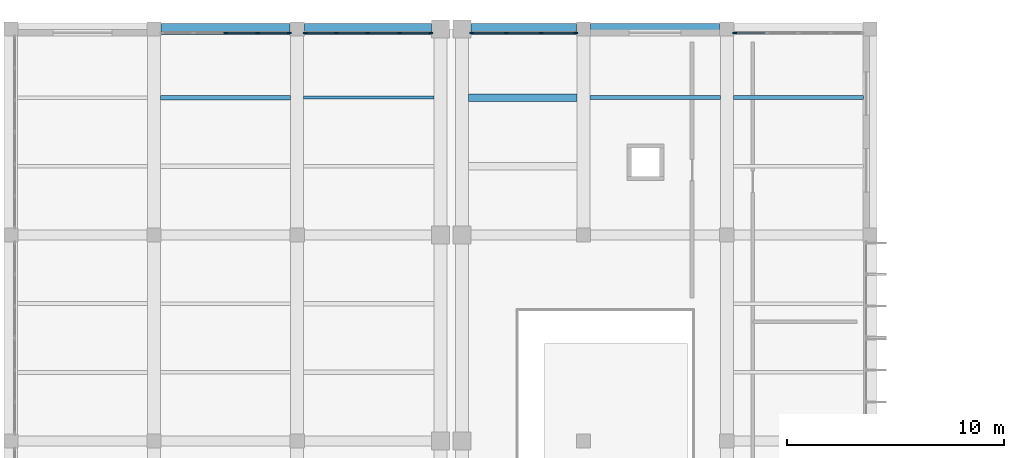
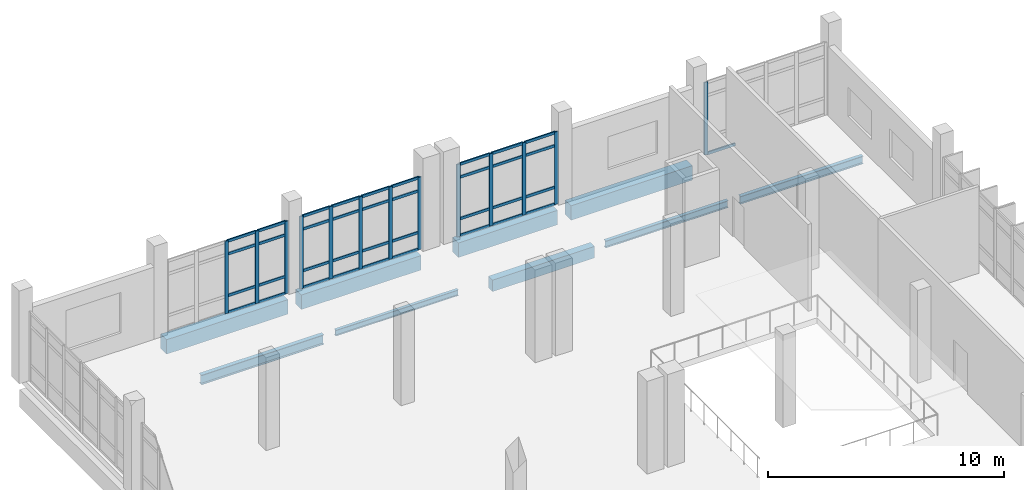
# One storey, part 41 of 90: 50 members, 9 beams, 4 elements without a shape of their own.
"""IFC4 building model written with IfcOpenShell, lengths in metres."""

from ifc_helpers import new_model, si_unit, direction, frame, origin, origin_2d, place, context, subcontext, project, spatial, rectangle, i_section, extrude, material, layer, layer_set, material_profile, profile_set, type_object, element, aggregate, save


model = new_model("IFC4")

# Units and contexts
model_context = context("Model", 3, precision=1e-05, world=origin(), true_north=direction((0.0, 1.0)))
body_context = subcontext(model_context, "Body", "Model", "MODEL_VIEW")
ifc_project = project(units=[si_unit("LENGTHUNIT", "METRE"), si_unit("AREAUNIT", "SQUARE_METRE"), si_unit("VOLUMEUNIT", "CUBIC_METRE"), si_unit("PLANEANGLEUNIT", "RADIAN"), si_unit("MASSUNIT", "GRAM", prefix="KILO")], contexts=[model_context])

# Site, building, storey
site_placement = place(None, origin())
site = spatial("IfcSite", under=ifc_project, at=site_placement, CompositionType="ELEMENT")
building_placement = place(site_placement, origin())
building = spatial("IfcBuilding", under=site, at=building_placement, Name="Kelarvand Opera House", CompositionType="ELEMENT")
storey_placement = place(building_placement, frame((0.0, 0.0, 5.39990234375)))
storey = spatial("IfcBuildingStorey", under=building, at=storey_placement, Name="L01", CompositionType="ELEMENT", Elevation=5.39990234375)

# Curtain wall, members
ifc_material_1 = material(Name="Thermally broken aluminium and low-E glazing", Category="aluminium")
ifc_layer_1 = layer(ifc_material_1, 0.179931640625, Name="Thermally broken aluminium and low-E glazing", Category="aluminium")
ifc_layer_set_1 = layer_set([ifc_layer_1], Name="Thermally broken aluminium and low-E glazing")
curtain_wall_type_1 = type_object("IfcCurtainWallType", Name="Unitised Low-E Curtain Wall 5930x3750 Mod 1450 CWF-44", PredefinedType="USERDEFINED", material=ifc_layer_set_1)
curtain_wall_1_placement = place(storey_placement, origin())
curtain_wall_1 = element("IfcCurtainWall", 1, at=curtain_wall_1_placement, inside=storey, type_object=curtain_wall_type_1, Name="V5 L01 Curtain Wall CWF-44 (180)", ObjectType="UNITISED CURTAIN WALL", PredefinedType="USERDEFINED")
ifc_material_2 = material(Name="Thermally broken anodised aluminium", Category="aluminium")
ifc_material_profile_1 = material_profile(ifc_material_2, rectangle(XDim=0.06494140625, YDim=0.179931640625, at=origin_2d()), Name="ALU MULLION 65x180", Category="aluminium")
ifc_profile_set_1 = profile_set([ifc_material_profile_1], Name="Thermally broken anodised aluminium")
member_type_1 = type_object("IfcMemberType", Name="Curtain Wall Mullion 65x180 Aluminium", PredefinedType="MULLION", material=ifc_profile_set_1)
member_1_placement = place(storey_placement, frame((105.5, 124.820068359375, 0.0), z_axis=(0.0, 0.0, 1.0), x_axis=(0.0, 1.0, 0.0)))
member_1 = element("IfcMember", 2, at=member_1_placement, type_object=member_type_1, Name="CWF-44 mullion 3", PredefinedType="MULLION", context=body_context, shape_type="SweptSolid", body=[
    extrude(rectangle(XDim=0.06494140625, YDim=0.179931640625, at=origin_2d()), origin(), (0.0, 0.0, 1.0), 3.75),
])
member_2_placement = place(storey_placement, frame((106.982421875, 124.820068359375, 0.0), z_axis=(0.0, 0.0, 1.0), x_axis=(0.0, 1.0, 0.0)))
member_2 = element("IfcMember", 3, at=member_2_placement, type_object=member_type_1, Name="CWF-44 mullion 4", PredefinedType="MULLION", context=body_context, shape_type="SweptSolid", body=[
    extrude(rectangle(XDim=0.06494140625, YDim=0.179931640625, at=origin_2d()), origin(), (0.0, 0.0, 1.0), 3.75),
])
member_3_placement = place(storey_placement, frame((108.4326171875, 124.820068359375, 0.0), z_axis=(0.0, 0.0, 1.0), x_axis=(0.0, 1.0, 0.0)))
member_3 = element("IfcMember", 4, at=member_3_placement, type_object=member_type_1, Name="CWF-44 mullion 5", PredefinedType="MULLION", context=body_context, shape_type="SweptSolid", body=[
    extrude(rectangle(XDim=0.06494140625, YDim=0.179931640625, at=origin_2d()), origin(), (0.0, 0.0, 1.0), 3.75),
])

ifc_layer_2 = layer(ifc_material_1, 0.179931640625, Name="Thermally broken aluminium and low-E glazing", Category="aluminium")
ifc_layer_set_2 = layer_set([ifc_layer_2], Name="Thermally broken aluminium and low-E glazing")
curtain_wall_type_2 = type_object("IfcCurtainWallType", Name="Unitised Low-E Curtain Wall 5845x3750 Mod 1450 CWF-45", PredefinedType="USERDEFINED", material=ifc_layer_set_2)
curtain_wall_2_placement = place(storey_placement, origin())
curtain_wall_2 = element("IfcCurtainWall", 5, at=curtain_wall_2_placement, inside=storey, type_object=curtain_wall_type_2, Name="V5 L01 Curtain Wall CWF-45 (181)", ObjectType="UNITISED CURTAIN WALL", PredefinedType="USERDEFINED")
member_4_placement = place(storey_placement, frame((109.16748046875, 124.820068359375, 0.0), z_axis=(0.0, 0.0, 1.0), x_axis=(0.0, 1.0, 0.0)))
member_4 = element("IfcMember", 6, at=member_4_placement, type_object=member_type_1, Name="CWF-45 mullion 1", PredefinedType="MULLION", context=body_context, shape_type="SweptSolid", body=[
    extrude(rectangle(XDim=0.06494140625, YDim=0.179931640625, at=origin_2d()), origin(), (0.0, 0.0, 1.0), 3.75),
])
member_5_placement = place(storey_placement, frame((110.59619140625, 124.820068359375, 0.0), z_axis=(0.0, 0.0, 1.0), x_axis=(0.0, 1.0, 0.0)))
member_5 = element("IfcMember", 7, at=member_5_placement, type_object=member_type_1, Name="CWF-45 mullion 2", PredefinedType="MULLION", context=body_context, shape_type="SweptSolid", body=[
    extrude(rectangle(XDim=0.06494140625, YDim=0.179931640625, at=origin_2d()), origin(), (0.0, 0.0, 1.0), 3.75),
])
member_6_placement = place(storey_placement, frame((112.0576171875, 124.820068359375, 0.0), z_axis=(0.0, 0.0, 1.0), x_axis=(0.0, 1.0, 0.0)))
member_6 = element("IfcMember", 8, at=member_6_placement, type_object=member_type_1, Name="CWF-45 mullion 3", PredefinedType="MULLION", context=body_context, shape_type="SweptSolid", body=[
    extrude(rectangle(XDim=0.06494140625, YDim=0.179931640625, at=origin_2d()), origin(), (0.0, 0.0, 1.0), 3.75),
])
member_7_placement = place(storey_placement, frame((113.518798828125, 124.820068359375, 0.0), z_axis=(0.0, 0.0, 1.0), x_axis=(0.0, 1.0, 0.0)))
member_7 = element("IfcMember", 9, at=member_7_placement, type_object=member_type_1, Name="CWF-45 mullion 4", PredefinedType="MULLION", context=body_context, shape_type="SweptSolid", body=[
    extrude(rectangle(XDim=0.06494140625, YDim=0.179931640625, at=origin_2d()), origin(), (0.0, 0.0, 1.0), 3.75),
])
member_8_placement = place(storey_placement, frame((114.947509765625, 124.820068359375, 0.0), z_axis=(0.0, 0.0, 1.0), x_axis=(0.0, 1.0, 0.0)))
member_8 = element("IfcMember", 10, at=member_8_placement, type_object=member_type_1, Name="CWF-45 mullion 5", PredefinedType="MULLION", context=body_context, shape_type="SweptSolid", body=[
    extrude(rectangle(XDim=0.06494140625, YDim=0.179931640625, at=origin_2d()), origin(), (0.0, 0.0, 1.0), 3.75),
])

ifc_layer_3 = layer(ifc_material_1, 0.179931640625, Name="Thermally broken aluminium and low-E glazing", Category="aluminium")
ifc_layer_set_3 = layer_set([ifc_layer_3], Name="Thermally broken aluminium and low-E glazing")
curtain_wall_type_3 = type_object("IfcCurtainWallType", Name="Unitised Low-E Curtain Wall 4845x3750 Mod 1450 CWF-46", PredefinedType="USERDEFINED", material=ifc_layer_set_3)
curtain_wall_3_placement = place(storey_placement, origin())
curtain_wall_3 = element("IfcCurtainWall", 11, at=curtain_wall_3_placement, inside=storey, type_object=curtain_wall_type_3, Name="V5 L01 Curtain Wall CWF-46 (182)", ObjectType="UNITISED CURTAIN WALL", PredefinedType="USERDEFINED")
member_9_placement = place(storey_placement, frame((116.8525390625, 124.820068359375, 0.0), z_axis=(0.0, 0.0, 1.0), x_axis=(0.0, 1.0, 0.0)))
member_9 = element("IfcMember", 12, at=member_9_placement, type_object=member_type_1, Name="CWF-46 mullion 1", PredefinedType="MULLION", context=body_context, shape_type="SweptSolid", body=[
    extrude(rectangle(XDim=0.06494140625, YDim=0.179931640625, at=origin_2d()), origin(), (0.0, 0.0, 1.0), 3.75),
])
member_10_placement = place(storey_placement, frame((118.43505859375, 124.820068359375, 0.0), z_axis=(0.0, 0.0, 1.0), x_axis=(0.0, 1.0, 0.0)))
member_10 = element("IfcMember", 13, at=member_10_placement, type_object=member_type_1, Name="CWF-46 mullion 2", PredefinedType="MULLION", context=body_context, shape_type="SweptSolid", body=[
    extrude(rectangle(XDim=0.06494140625, YDim=0.179931640625, at=origin_2d()), origin(), (0.0, 0.0, 1.0), 3.75),
])
member_11_placement = place(storey_placement, frame((120.050048828125, 124.820068359375, 0.0), z_axis=(0.0, 0.0, 1.0), x_axis=(0.0, 1.0, 0.0)))
member_11 = element("IfcMember", 14, at=member_11_placement, type_object=member_type_1, Name="CWF-46 mullion 3", PredefinedType="MULLION", context=body_context, shape_type="SweptSolid", body=[
    extrude(rectangle(XDim=0.06494140625, YDim=0.179931640625, at=origin_2d()), origin(), (0.0, 0.0, 1.0), 3.75),
])
member_12_placement = place(storey_placement, frame((121.632568359375, 124.820068359375, 0.0), z_axis=(0.0, 0.0, 1.0), x_axis=(0.0, 1.0, 0.0)))
member_12 = element("IfcMember", 15, at=member_12_placement, type_object=member_type_1, Name="CWF-46 mullion 4", PredefinedType="MULLION", context=body_context, shape_type="SweptSolid", body=[
    extrude(rectangle(XDim=0.06494140625, YDim=0.179931640625, at=origin_2d()), origin(), (0.0, 0.0, 1.0), 3.75),
])

# Curtain wall, member
curtain_wall_4_placement = place(storey_placement, origin())
curtain_wall_4 = element("IfcCurtainWall", 16, at=curtain_wall_4_placement, inside=storey, type_object=curtain_wall_type_1, Name="V5 L01 Curtain Wall CWF-44 (183)", ObjectType="UNITISED CURTAIN WALL", PredefinedType="USERDEFINED")
member_13_placement = place(storey_placement, frame((128.967529296875, 124.820068359375, 0.0), z_axis=(0.0, 0.0, 1.0), x_axis=(0.0, 1.0, 0.0)))
member_13 = element("IfcMember", 17, at=member_13_placement, type_object=member_type_1, Name="CWF-44 mullion 1", PredefinedType="MULLION", context=body_context, shape_type="SweptSolid", body=[
    extrude(rectangle(XDim=0.06494140625, YDim=0.179931640625, at=origin_2d()), origin(), (0.0, 0.0, 1.0), 3.75),
])

# Member
ifc_material_profile_2 = material_profile(ifc_material_2, rectangle(XDim=0.06494140625, YDim=0.139892578125, at=origin_2d()), Name="ALU TRANSOM 65x140", Category="aluminium")
ifc_profile_set_2 = profile_set([ifc_material_profile_2], Name="Thermally broken anodised aluminium")
member_type_2 = type_object("IfcMemberType", Name="Curtain Wall Transom 65x140 Aluminium", PredefinedType="USERDEFINED", material=ifc_profile_set_2)
member_14_placement = place(storey_placement, frame((105.532470703125, 124.820068359375, 0.03271484375), z_axis=(1.0, 0.0, 0.0), x_axis=(0.0, 1.0, 0.0)))
member_14 = element("IfcMember", 18, at=member_14_placement, type_object=member_type_2, Name="CWF-44 transom 3.1", ObjectType="TRANSOM", PredefinedType="USERDEFINED", context=body_context, shape_type="SweptSolid", body=[
    extrude(rectangle(XDim=0.06494140625, YDim=0.139892578125, at=origin_2d()), origin(), (0.0, 0.0, 1.0), 1.41748046875),
])

member_15_placement = place(storey_placement, frame((105.532470703125, 124.820068359375, 0.900146484375), z_axis=(1.0, 0.0, 0.0), x_axis=(0.0, 1.0, 0.0)))
member_15 = element("IfcMember", 19, at=member_15_placement, type_object=member_type_2, Name="CWF-44 transom 3.2", ObjectType="TRANSOM", PredefinedType="USERDEFINED", context=body_context, shape_type="SweptSolid", body=[
    extrude(rectangle(XDim=0.06494140625, YDim=0.139892578125, at=origin_2d()), origin(), (0.0, 0.0, 1.0), 1.41748046875),
])

member_16_placement = place(storey_placement, frame((105.532470703125, 124.820068359375, 3.050048828125), z_axis=(1.0, 0.0, 0.0), x_axis=(0.0, 1.0, 0.0)))
member_16 = element("IfcMember", 20, at=member_16_placement, type_object=member_type_2, Name="CWF-44 transom 3.3", ObjectType="TRANSOM", PredefinedType="USERDEFINED", context=body_context, shape_type="SweptSolid", body=[
    extrude(rectangle(XDim=0.06494140625, YDim=0.139892578125, at=origin_2d()), origin(), (0.0, 0.0, 1.0), 1.41748046875),
])

member_17_placement = place(storey_placement, frame((105.532470703125, 124.820068359375, 3.717529296875), z_axis=(1.0, 0.0, 0.0), x_axis=(0.0, 1.0, 0.0)))
member_17 = element("IfcMember", 21, at=member_17_placement, type_object=member_type_2, Name="CWF-44 transom 3.4", ObjectType="TRANSOM", PredefinedType="USERDEFINED", context=body_context, shape_type="SweptSolid", body=[
    extrude(rectangle(XDim=0.06494140625, YDim=0.139892578125, at=origin_2d()), origin(), (0.0, 0.0, 1.0), 1.41748046875),
])

member_18_placement = place(storey_placement, frame((107.014892578125, 124.820068359375, 0.03271484375), z_axis=(1.0, 0.0, 0.0), x_axis=(0.0, 1.0, 0.0)))
member_18 = element("IfcMember", 22, at=member_18_placement, type_object=member_type_2, Name="CWF-44 transom 4.1", ObjectType="TRANSOM", PredefinedType="USERDEFINED", context=body_context, shape_type="SweptSolid", body=[
    extrude(rectangle(XDim=0.06494140625, YDim=0.139892578125, at=origin_2d()), origin(), (0.0, 0.0, 1.0), 1.385009765625),
])

member_19_placement = place(storey_placement, frame((107.014892578125, 124.820068359375, 0.900146484375), z_axis=(1.0, 0.0, 0.0), x_axis=(0.0, 1.0, 0.0)))
member_19 = element("IfcMember", 23, at=member_19_placement, type_object=member_type_2, Name="CWF-44 transom 4.2", ObjectType="TRANSOM", PredefinedType="USERDEFINED", context=body_context, shape_type="SweptSolid", body=[
    extrude(rectangle(XDim=0.06494140625, YDim=0.139892578125, at=origin_2d()), origin(), (0.0, 0.0, 1.0), 1.385009765625),
])

member_20_placement = place(storey_placement, frame((107.014892578125, 124.820068359375, 3.050048828125), z_axis=(1.0, 0.0, 0.0), x_axis=(0.0, 1.0, 0.0)))
member_20 = element("IfcMember", 24, at=member_20_placement, type_object=member_type_2, Name="CWF-44 transom 4.3", ObjectType="TRANSOM", PredefinedType="USERDEFINED", context=body_context, shape_type="SweptSolid", body=[
    extrude(rectangle(XDim=0.06494140625, YDim=0.139892578125, at=origin_2d()), origin(), (0.0, 0.0, 1.0), 1.385009765625),
])

member_21_placement = place(storey_placement, frame((107.014892578125, 124.820068359375, 3.717529296875), z_axis=(1.0, 0.0, 0.0), x_axis=(0.0, 1.0, 0.0)))
member_21 = element("IfcMember", 25, at=member_21_placement, type_object=member_type_2, Name="CWF-44 transom 4.4", ObjectType="TRANSOM", PredefinedType="USERDEFINED", context=body_context, shape_type="SweptSolid", body=[
    extrude(rectangle(XDim=0.06494140625, YDim=0.139892578125, at=origin_2d()), origin(), (0.0, 0.0, 1.0), 1.385009765625),
])

aggregate(curtain_wall_1, [member_1, member_2, member_3, member_14, member_15, member_16, member_17, member_18, member_19, member_20, member_21])

member_22_placement = place(storey_placement, frame((109.199951171875, 124.820068359375, 0.03271484375), z_axis=(1.0, 0.0, 0.0), x_axis=(0.0, 1.0, 0.0)))
member_22 = element("IfcMember", 26, at=member_22_placement, type_object=member_type_2, Name="CWF-45 transom 1.1", ObjectType="TRANSOM", PredefinedType="USERDEFINED", context=body_context, shape_type="SweptSolid", body=[
    extrude(rectangle(XDim=0.06494140625, YDim=0.139892578125, at=origin_2d()), origin(), (0.0, 0.0, 1.0), 1.36376953125),
])

member_23_placement = place(storey_placement, frame((109.199951171875, 124.820068359375, 0.900146484375), z_axis=(1.0, 0.0, 0.0), x_axis=(0.0, 1.0, 0.0)))
member_23 = element("IfcMember", 27, at=member_23_placement, type_object=member_type_2, Name="CWF-45 transom 1.2", ObjectType="TRANSOM", PredefinedType="USERDEFINED", context=body_context, shape_type="SweptSolid", body=[
    extrude(rectangle(XDim=0.06494140625, YDim=0.139892578125, at=origin_2d()), origin(), (0.0, 0.0, 1.0), 1.36376953125),
])

member_24_placement = place(storey_placement, frame((109.199951171875, 124.820068359375, 3.050048828125), z_axis=(1.0, 0.0, 0.0), x_axis=(0.0, 1.0, 0.0)))
member_24 = element("IfcMember", 28, at=member_24_placement, type_object=member_type_2, Name="CWF-45 transom 1.3", ObjectType="TRANSOM", PredefinedType="USERDEFINED", context=body_context, shape_type="SweptSolid", body=[
    extrude(rectangle(XDim=0.06494140625, YDim=0.139892578125, at=origin_2d()), origin(), (0.0, 0.0, 1.0), 1.36376953125),
])

member_25_placement = place(storey_placement, frame((109.199951171875, 124.820068359375, 3.717529296875), z_axis=(1.0, 0.0, 0.0), x_axis=(0.0, 1.0, 0.0)))
member_25 = element("IfcMember", 29, at=member_25_placement, type_object=member_type_2, Name="CWF-45 transom 1.4", ObjectType="TRANSOM", PredefinedType="USERDEFINED", context=body_context, shape_type="SweptSolid", body=[
    extrude(rectangle(XDim=0.06494140625, YDim=0.139892578125, at=origin_2d()), origin(), (0.0, 0.0, 1.0), 1.36376953125),
])

member_26_placement = place(storey_placement, frame((110.628662109375, 124.820068359375, 0.03271484375), z_axis=(1.0, 0.0, 0.0), x_axis=(0.0, 1.0, 0.0)))
member_26 = element("IfcMember", 30, at=member_26_placement, type_object=member_type_2, Name="CWF-45 transom 2.1", ObjectType="TRANSOM", PredefinedType="USERDEFINED", context=body_context, shape_type="SweptSolid", body=[
    extrude(rectangle(XDim=0.06494140625, YDim=0.139892578125, at=origin_2d()), origin(), (0.0, 0.0, 1.0), 1.396240234375),
])

member_27_placement = place(storey_placement, frame((110.628662109375, 124.820068359375, 0.900146484375), z_axis=(1.0, 0.0, 0.0), x_axis=(0.0, 1.0, 0.0)))
member_27 = element("IfcMember", 31, at=member_27_placement, type_object=member_type_2, Name="CWF-45 transom 2.2", ObjectType="TRANSOM", PredefinedType="USERDEFINED", context=body_context, shape_type="SweptSolid", body=[
    extrude(rectangle(XDim=0.06494140625, YDim=0.139892578125, at=origin_2d()), origin(), (0.0, 0.0, 1.0), 1.396240234375),
])

member_28_placement = place(storey_placement, frame((110.628662109375, 124.820068359375, 3.050048828125), z_axis=(1.0, 0.0, 0.0), x_axis=(0.0, 1.0, 0.0)))
member_28 = element("IfcMember", 32, at=member_28_placement, type_object=member_type_2, Name="CWF-45 transom 2.3", ObjectType="TRANSOM", PredefinedType="USERDEFINED", context=body_context, shape_type="SweptSolid", body=[
    extrude(rectangle(XDim=0.06494140625, YDim=0.139892578125, at=origin_2d()), origin(), (0.0, 0.0, 1.0), 1.396240234375),
])

member_29_placement = place(storey_placement, frame((110.628662109375, 124.820068359375, 3.717529296875), z_axis=(1.0, 0.0, 0.0), x_axis=(0.0, 1.0, 0.0)))
member_29 = element("IfcMember", 33, at=member_29_placement, type_object=member_type_2, Name="CWF-45 transom 2.4", ObjectType="TRANSOM", PredefinedType="USERDEFINED", context=body_context, shape_type="SweptSolid", body=[
    extrude(rectangle(XDim=0.06494140625, YDim=0.139892578125, at=origin_2d()), origin(), (0.0, 0.0, 1.0), 1.396240234375),
])

member_30_placement = place(storey_placement, frame((112.090087890625, 124.820068359375, 0.03271484375), z_axis=(1.0, 0.0, 0.0), x_axis=(0.0, 1.0, 0.0)))
member_30 = element("IfcMember", 34, at=member_30_placement, type_object=member_type_2, Name="CWF-45 transom 3.1", ObjectType="TRANSOM", PredefinedType="USERDEFINED", context=body_context, shape_type="SweptSolid", body=[
    extrude(rectangle(XDim=0.06494140625, YDim=0.139892578125, at=origin_2d()), origin(), (0.0, 0.0, 1.0), 1.396240234375),
])

member_31_placement = place(storey_placement, frame((112.090087890625, 124.820068359375, 0.900146484375), z_axis=(1.0, 0.0, 0.0), x_axis=(0.0, 1.0, 0.0)))
member_31 = element("IfcMember", 35, at=member_31_placement, type_object=member_type_2, Name="CWF-45 transom 3.2", ObjectType="TRANSOM", PredefinedType="USERDEFINED", context=body_context, shape_type="SweptSolid", body=[
    extrude(rectangle(XDim=0.06494140625, YDim=0.139892578125, at=origin_2d()), origin(), (0.0, 0.0, 1.0), 1.396240234375),
])

member_32_placement = place(storey_placement, frame((112.090087890625, 124.820068359375, 3.050048828125), z_axis=(1.0, 0.0, 0.0), x_axis=(0.0, 1.0, 0.0)))
member_32 = element("IfcMember", 36, at=member_32_placement, type_object=member_type_2, Name="CWF-45 transom 3.3", ObjectType="TRANSOM", PredefinedType="USERDEFINED", context=body_context, shape_type="SweptSolid", body=[
    extrude(rectangle(XDim=0.06494140625, YDim=0.139892578125, at=origin_2d()), origin(), (0.0, 0.0, 1.0), 1.396240234375),
])

member_33_placement = place(storey_placement, frame((112.090087890625, 124.820068359375, 3.717529296875), z_axis=(1.0, 0.0, 0.0), x_axis=(0.0, 1.0, 0.0)))
member_33 = element("IfcMember", 37, at=member_33_placement, type_object=member_type_2, Name="CWF-45 transom 3.4", ObjectType="TRANSOM", PredefinedType="USERDEFINED", context=body_context, shape_type="SweptSolid", body=[
    extrude(rectangle(XDim=0.06494140625, YDim=0.139892578125, at=origin_2d()), origin(), (0.0, 0.0, 1.0), 1.396240234375),
])

member_34_placement = place(storey_placement, frame((113.55126953125, 124.820068359375, 0.03271484375), z_axis=(1.0, 0.0, 0.0), x_axis=(0.0, 1.0, 0.0)))
member_34 = element("IfcMember", 38, at=member_34_placement, type_object=member_type_2, Name="CWF-45 transom 4.1", ObjectType="TRANSOM", PredefinedType="USERDEFINED", context=body_context, shape_type="SweptSolid", body=[
    extrude(rectangle(XDim=0.06494140625, YDim=0.139892578125, at=origin_2d()), origin(), (0.0, 0.0, 1.0), 1.36376953125),
])

member_35_placement = place(storey_placement, frame((113.55126953125, 124.820068359375, 0.900146484375), z_axis=(1.0, 0.0, 0.0), x_axis=(0.0, 1.0, 0.0)))
member_35 = element("IfcMember", 39, at=member_35_placement, type_object=member_type_2, Name="CWF-45 transom 4.2", ObjectType="TRANSOM", PredefinedType="USERDEFINED", context=body_context, shape_type="SweptSolid", body=[
    extrude(rectangle(XDim=0.06494140625, YDim=0.139892578125, at=origin_2d()), origin(), (0.0, 0.0, 1.0), 1.36376953125),
])

member_36_placement = place(storey_placement, frame((113.55126953125, 124.820068359375, 3.050048828125), z_axis=(1.0, 0.0, 0.0), x_axis=(0.0, 1.0, 0.0)))
member_36 = element("IfcMember", 40, at=member_36_placement, type_object=member_type_2, Name="CWF-45 transom 4.3", ObjectType="TRANSOM", PredefinedType="USERDEFINED", context=body_context, shape_type="SweptSolid", body=[
    extrude(rectangle(XDim=0.06494140625, YDim=0.139892578125, at=origin_2d()), origin(), (0.0, 0.0, 1.0), 1.36376953125),
])

member_37_placement = place(storey_placement, frame((113.55126953125, 124.820068359375, 3.717529296875), z_axis=(1.0, 0.0, 0.0), x_axis=(0.0, 1.0, 0.0)))
member_37 = element("IfcMember", 41, at=member_37_placement, type_object=member_type_2, Name="CWF-45 transom 4.4", ObjectType="TRANSOM", PredefinedType="USERDEFINED", context=body_context, shape_type="SweptSolid", body=[
    extrude(rectangle(XDim=0.06494140625, YDim=0.139892578125, at=origin_2d()), origin(), (0.0, 0.0, 1.0), 1.36376953125),
])

aggregate(curtain_wall_2, [member_4, member_5, member_6, member_7, member_8, member_22, member_23, member_24, member_25, member_26, member_27, member_28, member_29, member_30, member_31, member_32, member_33, member_34, member_35, member_36, member_37])

member_38_placement = place(storey_placement, frame((116.885009765625, 124.820068359375, 0.03271484375), z_axis=(1.0, 0.0, 0.0), x_axis=(0.0, 1.0, 0.0)))
member_38 = element("IfcMember", 42, at=member_38_placement, type_object=member_type_2, Name="CWF-46 transom 1.1", ObjectType="TRANSOM", PredefinedType="USERDEFINED", context=body_context, shape_type="SweptSolid", body=[
    extrude(rectangle(XDim=0.06494140625, YDim=0.139892578125, at=origin_2d()), origin(), (0.0, 0.0, 1.0), 1.517578125),
])

member_39_placement = place(storey_placement, frame((116.885009765625, 124.820068359375, 0.900146484375), z_axis=(1.0, 0.0, 0.0), x_axis=(0.0, 1.0, 0.0)))
member_39 = element("IfcMember", 43, at=member_39_placement, type_object=member_type_2, Name="CWF-46 transom 1.2", ObjectType="TRANSOM", PredefinedType="USERDEFINED", context=body_context, shape_type="SweptSolid", body=[
    extrude(rectangle(XDim=0.06494140625, YDim=0.139892578125, at=origin_2d()), origin(), (0.0, 0.0, 1.0), 1.517578125),
])

member_40_placement = place(storey_placement, frame((116.885009765625, 124.820068359375, 3.050048828125), z_axis=(1.0, 0.0, 0.0), x_axis=(0.0, 1.0, 0.0)))
member_40 = element("IfcMember", 44, at=member_40_placement, type_object=member_type_2, Name="CWF-46 transom 1.3", ObjectType="TRANSOM", PredefinedType="USERDEFINED", context=body_context, shape_type="SweptSolid", body=[
    extrude(rectangle(XDim=0.06494140625, YDim=0.139892578125, at=origin_2d()), origin(), (0.0, 0.0, 1.0), 1.517578125),
])

member_41_placement = place(storey_placement, frame((116.885009765625, 124.820068359375, 3.717529296875), z_axis=(1.0, 0.0, 0.0), x_axis=(0.0, 1.0, 0.0)))
member_41 = element("IfcMember", 45, at=member_41_placement, type_object=member_type_2, Name="CWF-46 transom 1.4", ObjectType="TRANSOM", PredefinedType="USERDEFINED", context=body_context, shape_type="SweptSolid", body=[
    extrude(rectangle(XDim=0.06494140625, YDim=0.139892578125, at=origin_2d()), origin(), (0.0, 0.0, 1.0), 1.517578125),
])

member_42_placement = place(storey_placement, frame((118.467529296875, 124.820068359375, 0.03271484375), z_axis=(1.0, 0.0, 0.0), x_axis=(0.0, 1.0, 0.0)))
member_42 = element("IfcMember", 46, at=member_42_placement, type_object=member_type_2, Name="CWF-46 transom 2.1", ObjectType="TRANSOM", PredefinedType="USERDEFINED", context=body_context, shape_type="SweptSolid", body=[
    extrude(rectangle(XDim=0.06494140625, YDim=0.139892578125, at=origin_2d()), origin(), (0.0, 0.0, 1.0), 1.550048828125),
])

member_43_placement = place(storey_placement, frame((118.467529296875, 124.820068359375, 0.900146484375), z_axis=(1.0, 0.0, 0.0), x_axis=(0.0, 1.0, 0.0)))
member_43 = element("IfcMember", 47, at=member_43_placement, type_object=member_type_2, Name="CWF-46 transom 2.2", ObjectType="TRANSOM", PredefinedType="USERDEFINED", context=body_context, shape_type="SweptSolid", body=[
    extrude(rectangle(XDim=0.06494140625, YDim=0.139892578125, at=origin_2d()), origin(), (0.0, 0.0, 1.0), 1.550048828125),
])

member_44_placement = place(storey_placement, frame((118.467529296875, 124.820068359375, 3.050048828125), z_axis=(1.0, 0.0, 0.0), x_axis=(0.0, 1.0, 0.0)))
member_44 = element("IfcMember", 48, at=member_44_placement, type_object=member_type_2, Name="CWF-46 transom 2.3", ObjectType="TRANSOM", PredefinedType="USERDEFINED", context=body_context, shape_type="SweptSolid", body=[
    extrude(rectangle(XDim=0.06494140625, YDim=0.139892578125, at=origin_2d()), origin(), (0.0, 0.0, 1.0), 1.550048828125),
])

member_45_placement = place(storey_placement, frame((118.467529296875, 124.820068359375, 3.717529296875), z_axis=(1.0, 0.0, 0.0), x_axis=(0.0, 1.0, 0.0)))
member_45 = element("IfcMember", 49, at=member_45_placement, type_object=member_type_2, Name="CWF-46 transom 2.4", ObjectType="TRANSOM", PredefinedType="USERDEFINED", context=body_context, shape_type="SweptSolid", body=[
    extrude(rectangle(XDim=0.06494140625, YDim=0.139892578125, at=origin_2d()), origin(), (0.0, 0.0, 1.0), 1.550048828125),
])

member_46_placement = place(storey_placement, frame((120.08251953125, 124.820068359375, 0.03271484375), z_axis=(1.0, 0.0, 0.0), x_axis=(0.0, 1.0, 0.0)))
member_46 = element("IfcMember", 50, at=member_46_placement, type_object=member_type_2, Name="CWF-46 transom 3.1", ObjectType="TRANSOM", PredefinedType="USERDEFINED", context=body_context, shape_type="SweptSolid", body=[
    extrude(rectangle(XDim=0.06494140625, YDim=0.139892578125, at=origin_2d()), origin(), (0.0, 0.0, 1.0), 1.517578125),
])

member_47_placement = place(storey_placement, frame((120.08251953125, 124.820068359375, 0.900146484375), z_axis=(1.0, 0.0, 0.0), x_axis=(0.0, 1.0, 0.0)))
member_47 = element("IfcMember", 51, at=member_47_placement, type_object=member_type_2, Name="CWF-46 transom 3.2", ObjectType="TRANSOM", PredefinedType="USERDEFINED", context=body_context, shape_type="SweptSolid", body=[
    extrude(rectangle(XDim=0.06494140625, YDim=0.139892578125, at=origin_2d()), origin(), (0.0, 0.0, 1.0), 1.517578125),
])

member_48_placement = place(storey_placement, frame((120.08251953125, 124.820068359375, 3.050048828125), z_axis=(1.0, 0.0, 0.0), x_axis=(0.0, 1.0, 0.0)))
member_48 = element("IfcMember", 52, at=member_48_placement, type_object=member_type_2, Name="CWF-46 transom 3.3", ObjectType="TRANSOM", PredefinedType="USERDEFINED", context=body_context, shape_type="SweptSolid", body=[
    extrude(rectangle(XDim=0.06494140625, YDim=0.139892578125, at=origin_2d()), origin(), (0.0, 0.0, 1.0), 1.517578125),
])

member_49_placement = place(storey_placement, frame((120.08251953125, 124.820068359375, 3.717529296875), z_axis=(1.0, 0.0, 0.0), x_axis=(0.0, 1.0, 0.0)))
member_49 = element("IfcMember", 53, at=member_49_placement, type_object=member_type_2, Name="CWF-46 transom 3.4", ObjectType="TRANSOM", PredefinedType="USERDEFINED", context=body_context, shape_type="SweptSolid", body=[
    extrude(rectangle(XDim=0.06494140625, YDim=0.139892578125, at=origin_2d()), origin(), (0.0, 0.0, 1.0), 1.517578125),
])

aggregate(curtain_wall_3, [member_9, member_10, member_11, member_12, member_38, member_39, member_40, member_41, member_42, member_43, member_44, member_45, member_46, member_47, member_48, member_49])

member_50_placement = place(storey_placement, frame((129.0, 124.820068359375, 0.03271484375), z_axis=(1.0, 0.0, 0.0), x_axis=(0.0, 1.0, 0.0)))
member_50 = element("IfcMember", 54, at=member_50_placement, type_object=member_type_2, Name="CWF-44 transom 1.1", ObjectType="TRANSOM", PredefinedType="USERDEFINED", context=body_context, shape_type="SweptSolid", body=[
    extrude(rectangle(XDim=0.06494140625, YDim=0.139892578125, at=origin_2d()), origin(), (0.0, 0.0, 1.0), 1.385009765625),
])

aggregate(curtain_wall_4, [member_13, member_50])

# Beams
ifc_material_3 = material(Name="Concrete C35/45", Category="concrete")
ifc_material_profile_3 = material_profile(ifc_material_3, rectangle(XDim=0.35009765625, YDim=0.60009765625, at=origin_2d()), Name="RC 350x600", Category="concrete")
ifc_profile_set_3 = profile_set([ifc_material_profile_3], Name="Concrete C35/45")
beam_type_1 = type_object("IfcBeamType", Name="Structural Beam RC 350x600 BM-RC350x600", PredefinedType="BEAM", material=ifc_profile_set_3)
beam_1_placement = place(storey_placement, frame((116.699951171875, 121.833251953125, -0.599853515625), z_axis=(1.0, 0.0, 0.0), x_axis=(0.0, 1.0, 0.0)))
element("IfcBeam", 55, at=beam_1_placement, inside=storey, type_object=beam_type_1, Name="V5 L01 Beam BM-RC350x600", PredefinedType="BEAM", context=body_context, shape_type="SweptSolid", body=[
    extrude(rectangle(XDim=0.35009765625, YDim=0.60009765625, at=origin_2d()), origin(), (0.0, 0.0, 1.0), 5.0),
])
ifc_material_4 = material(Name="Steel S355", Category="steel")
ifc_material_profile_4 = material_profile(ifc_material_4, i_section(OverallWidth=0.14990234375, OverallDepth=0.300048828125, WebThickness=0.007080078125, FlangeThickness=0.0107421875, at=origin_2d()), Name="IPE 300", Category="steel")
ifc_profile_set_4 = profile_set([ifc_material_profile_4], Name="Steel S355")
beam_type_2 = type_object("IfcBeamType", Name="Structural Joist IPE 300 JS-IPE300", PredefinedType="JOIST", material=ifc_profile_set_4)
beam_2_placement = place(storey_placement, frame((109.10009765625, 121.833251953125, -0.449951171875), z_axis=(1.0, 0.0, 0.0), x_axis=(0.0, 1.0, 0.0)))
element("IfcBeam", 56, at=beam_2_placement, inside=storey, type_object=beam_type_2, Name="V5 L01 Beam JS-IPE300", PredefinedType="JOIST", context=body_context, shape_type="SweptSolid", body=[
    extrude(i_section(OverallWidth=0.14990234375, OverallDepth=0.300048828125, WebThickness=0.007080078125, FlangeThickness=0.0107421875, at=origin_2d()), origin(), (0.0, 0.0, 1.0), 6.0),
])
ifc_material_profile_5 = material_profile(ifc_material_4, i_section(OverallWidth=0.169921875, OverallDepth=0.360107421875, WebThickness=0.008056640625, FlangeThickness=0.0126953125, at=origin_2d()), Name="IPE 360", Category="steel")
ifc_profile_set_5 = profile_set([ifc_material_profile_5], Name="Steel S355")
beam_type_3 = type_object("IfcBeamType", Name="Structural Joist IPE 360 JS-IPE360", PredefinedType="JOIST", material=ifc_profile_set_5)
beam_3_placement = place(storey_placement, frame((122.300048828125, 121.833251953125, -0.47998046875), z_axis=(1.0, 0.0, 0.0), x_axis=(0.0, 1.0, 0.0)))
element("IfcBeam", 57, at=beam_3_placement, inside=storey, type_object=beam_type_3, Name="V5 L01 Beam JS-IPE360", PredefinedType="JOIST", context=body_context, shape_type="SweptSolid", body=[
    extrude(i_section(OverallWidth=0.169921875, OverallDepth=0.360107421875, WebThickness=0.008056640625, FlangeThickness=0.0126953125, at=origin_2d()), origin(), (0.0, 0.0, 1.0), 6.0),
])
ifc_material_profile_6 = material_profile(ifc_material_4, i_section(OverallWidth=0.179931640625, OverallDepth=0.39990234375, WebThickness=0.008544921875, FlangeThickness=0.013427734375, at=origin_2d()), Name="IPE 400", Category="steel")
ifc_profile_set_6 = profile_set([ifc_material_profile_6], Name="Steel S355")
beam_type_4 = type_object("IfcBeamType", Name="Structural Joist IPE 400 JS-IPE400", PredefinedType="JOIST", material=ifc_profile_set_6)
beam_4_placement = place(storey_placement, frame((128.89990234375, 121.833251953125, -0.5), z_axis=(1.0, 0.0, 0.0), x_axis=(0.0, 1.0, 0.0)))
element("IfcBeam", 58, at=beam_4_placement, inside=storey, type_object=beam_type_4, Name="V5 L01 Beam JS-IPE400", PredefinedType="JOIST", context=body_context, shape_type="SweptSolid", body=[
    extrude(i_section(OverallWidth=0.179931640625, OverallDepth=0.39990234375, WebThickness=0.008544921875, FlangeThickness=0.013427734375, at=origin_2d()), origin(), (0.0, 0.0, 1.0), 6.0),
])
ifc_material_profile_7 = material_profile(ifc_material_4, i_section(OverallWidth=0.199951171875, OverallDepth=0.5, WebThickness=0.01025390625, FlangeThickness=0.01611328125, at=origin_2d()), Name="IPE 500", Category="steel")
ifc_profile_set_7 = profile_set([ifc_material_profile_7], Name="Steel S355")
beam_type_5 = type_object("IfcBeamType", Name="Structural Joist IPE 500 JS-IPE500", PredefinedType="JOIST", material=ifc_profile_set_7)
beam_5_placement = place(storey_placement, frame((102.5, 121.833251953125, -0.5498046875), z_axis=(1.0, 0.0, 0.0), x_axis=(0.0, 1.0, 0.0)))
element("IfcBeam", 59, at=beam_5_placement, inside=storey, type_object=beam_type_5, Name="V5 L01 Beam JS-IPE500", PredefinedType="JOIST", context=body_context, shape_type="SweptSolid", body=[
    extrude(i_section(OverallWidth=0.199951171875, OverallDepth=0.5, WebThickness=0.01025390625, FlangeThickness=0.01611328125, at=origin_2d()), origin(), (0.0, 0.0, 1.0), 6.0),
])
ifc_material_5 = material(Name="Concrete C40/50", Category="concrete")
ifc_material_profile_8 = material_profile(ifc_material_5, rectangle(XDim=0.5, YDim=0.75, at=origin_2d()), Name="RC 500x750", Category="concrete")
ifc_profile_set_8 = profile_set([ifc_material_profile_8], Name="Concrete C40/50")
beam_type_6 = type_object("IfcBeamType", Name="Structural Spandrel RC 500x750 SP-RC500x750E", PredefinedType="SPANDREL", material=ifc_profile_set_8)
beam_6_placement = place(storey_placement, frame((102.52490234375, 125.0, -0.6748046875), z_axis=(1.0, 0.0, 0.0), x_axis=(0.0, 1.0, 0.0)))
element("IfcBeam", 60, at=beam_6_placement, inside=storey, type_object=beam_type_6, Name="V5 L01 Beam SP-RC500x750E", PredefinedType="SPANDREL", context=body_context, shape_type="SweptSolid", body=[
    extrude(rectangle(XDim=0.5, YDim=0.75, at=origin_2d()), origin(), (0.0, 0.0, 1.0), 5.9501953125),
])
beam_7_placement = place(storey_placement, frame((109.125, 125.0, -0.6748046875), z_axis=(1.0, 0.0, 0.0), x_axis=(0.0, 1.0, 0.0)))
element("IfcBeam", 61, at=beam_7_placement, inside=storey, type_object=beam_type_6, Name="V5 L01 Beam SP-RC500x750E", PredefinedType="SPANDREL", context=body_context, shape_type="SweptSolid", body=[
    extrude(rectangle(XDim=0.5, YDim=0.75, at=origin_2d()), origin(), (0.0, 0.0, 1.0), 5.864990234375),
])
beam_8_placement = place(storey_placement, frame((116.81005859375, 125.0, -0.6748046875), z_axis=(1.0, 0.0, 0.0), x_axis=(0.0, 1.0, 0.0)))
element("IfcBeam", 62, at=beam_8_placement, inside=storey, type_object=beam_type_6, Name="V5 L01 Beam SP-RC500x750E", PredefinedType="SPANDREL", context=body_context, shape_type="SweptSolid", body=[
    extrude(rectangle(XDim=0.5, YDim=0.75, at=origin_2d()), origin(), (0.0, 0.0, 1.0), 4.864990234375),
])
beam_9_placement = place(storey_placement, frame((122.324951171875, 125.0, -0.6748046875), z_axis=(1.0, 0.0, 0.0), x_axis=(0.0, 1.0, 0.0)))
element("IfcBeam", 63, at=beam_9_placement, inside=storey, type_object=beam_type_6, Name="V5 L01 Beam SP-RC500x750E", PredefinedType="SPANDREL", context=body_context, shape_type="SweptSolid", body=[
    extrude(rectangle(XDim=0.5, YDim=0.75, at=origin_2d()), origin(), (0.0, 0.0, 1.0), 5.949951171875),
])

save(model, "model.ifc")
